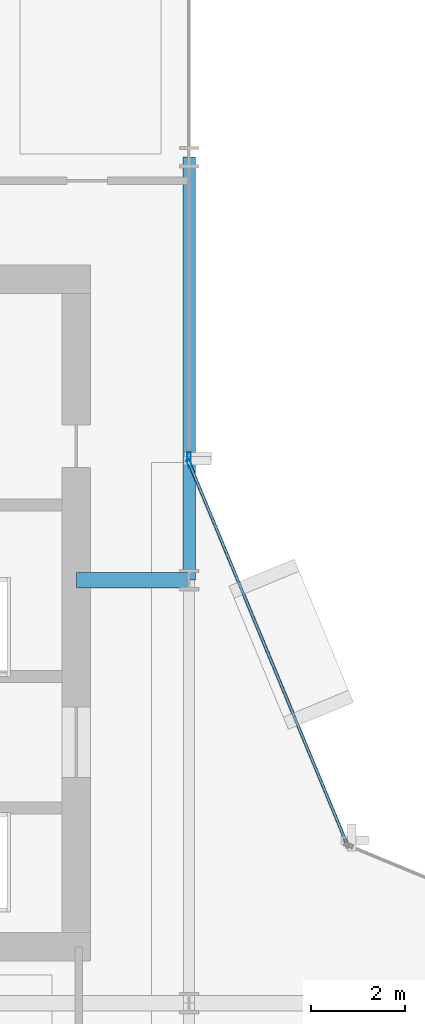
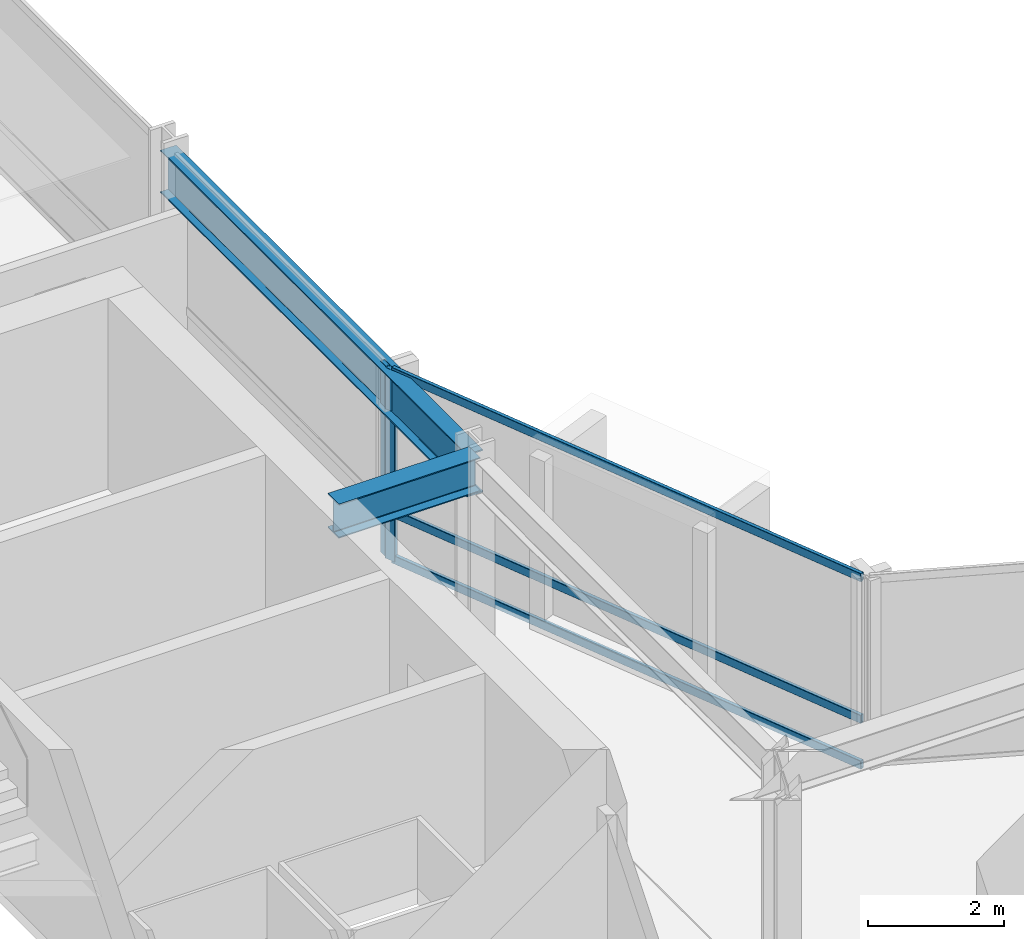
# One storey, part 17 of 29: 5 members, 2 beams, 2 elements without a shape of their own.
"""IFC4 building model written with IfcOpenShell, lengths in metres."""

from ifc_helpers import new_model, si_unit, direction, frame, origin, origin_2d, place, context, subcontext, project, spatial, hollow_rectangle, i_section, extrude, material, layer, layer_set, material_profile, profile_set, type_object, element, aggregate, save


model = new_model("IFC4")

# Units and contexts
model_context = context("Model", 3, precision=1e-05, world=origin(), true_north=direction((0.0, 1.0)))
body_context = subcontext(model_context, "Body", "Model", "MODEL_VIEW")
ifc_project = project(units=[si_unit("LENGTHUNIT", "METRE"), si_unit("AREAUNIT", "SQUARE_METRE"), si_unit("VOLUMEUNIT", "CUBIC_METRE"), si_unit("PLANEANGLEUNIT", "RADIAN"), si_unit("MASSUNIT", "GRAM", prefix="KILO")], contexts=[model_context])

# Site, building, storey
site_placement = place(None, origin())
site = spatial("IfcSite", under=ifc_project, at=site_placement, CompositionType="ELEMENT")
building_placement = place(site_placement, origin())
building = spatial("IfcBuilding", under=site, at=building_placement, Name="Solvaryn Broadcast Tower", CompositionType="ELEMENT")
storey_placement = place(building_placement, frame((0.0, 0.0, 121.10009765625)))
storey = spatial("IfcBuildingStorey", under=building, at=storey_placement, Name="L29", CompositionType="ELEMENT", Elevation=121.10009765625)

# Beams
ifc_material_1 = material(Name="Steel ASTM A992 Grade 50", Category="steel")
ifc_material_profile_1 = material_profile(ifc_material_1, i_section(OverallWidth=0.323974609375, OverallDepth=0.611083984375, WebThickness=0.0126953125, FlangeThickness=0.01904296875, FilletRadius=0.014892578125, at=origin_2d()))
ifc_profile_set_1 = profile_set([ifc_material_profile_1], Name="Steel ASTM A992 Grade 50")
beam_type_1 = type_object("IfcBeamType", Name="BM-B1-W24X104", PredefinedType="BEAM", material=ifc_profile_set_1)
beam_1_placement = place(storey_placement, frame((24.60009765625, 36.0, 3.114501953125), z_axis=(1.0, 0.0, 0.0), x_axis=(0.0, 1.0, 0.0)))
element("IfcBeam", 1, at=beam_1_placement, inside=storey, type_object=beam_type_1, Name="L29 Core Tie Beam CTW2", PredefinedType="BEAM", context=body_context, shape_type="SweptSolid", body=[
    extrude(i_section(OverallWidth=0.323974609375, OverallDepth=0.611083984375, WebThickness=0.0126953125, FlangeThickness=0.01904296875, FilletRadius=0.014892578125, at=origin_2d()), origin(), (0.0, 0.0, 1.0), 2.39990234375),
])
ifc_material_2 = material(Name="Steel ASTM A992 Grade 50", Category="steel")
ifc_material_profile_2 = material_profile(ifc_material_2, i_section(OverallWidth=0.26708984375, OverallDepth=0.76611328125, WebThickness=0.014892578125, FlangeThickness=0.023681640625, FilletRadius=0.01806640625, at=origin_2d()))
ifc_profile_set_2 = profile_set([ifc_material_profile_2], Name="Steel ASTM A992 Grade 50")
beam_type_2 = type_object("IfcBeamType", Name="BM-SP2-W30X124", PredefinedType="USERDEFINED", material=ifc_profile_set_2)
beam_2_placement = place(storey_placement, frame((27.0, 36.0, 3.036865234375), z_axis=(0.0, 1.0, 0.0), x_axis=(-1.0, 0.0, 0.0)))
element("IfcBeam", 2, at=beam_2_placement, inside=storey, type_object=beam_type_2, Name="L29 Spandrel Beam Y (36-45 @ X=27)", ObjectType="SPANDREL", PredefinedType="USERDEFINED", context=body_context, shape_type="SweptSolid", body=[
    extrude(i_section(OverallWidth=0.26708984375, OverallDepth=0.76611328125, WebThickness=0.014892578125, FlangeThickness=0.023681640625, FilletRadius=0.01806640625, at=origin_2d()), origin(), (0.0, 0.0, 1.0), 9.0),
])

# Curtain wall, member
ifc_material_3 = material(Name="Aluminium and Terracotta Unitised Curtain Wall", Category="masonry")
ifc_layer = layer(ifc_material_3, 0.199951171875)
ifc_layer_set = layer_set([ifc_layer], Name="CW-SYS2-LOWMID")
curtain_wall_type = type_object("IfcCurtainWallType", Name="CW-SYS2-LOWMID", PredefinedType="NOTDEFINED", material=ifc_layer_set)
curtain_wall_1_placement = place(storey_placement, origin())
curtain_wall_1 = element("IfcCurtainWall", 3, at=curtain_wall_1_placement, inside=storey, type_object=curtain_wall_type, Name="L29 Curtain Wall IV", PredefinedType="NOTDEFINED")
ifc_material_4 = material(Name="Anodised Aluminium 6063-T6", Category="aluminium")
ifc_material_profile_3 = material_profile(ifc_material_4, hollow_rectangle(XDim=0.074951171875, YDim=0.179931640625, WallThickness=0.00390625, InnerFilletRadius=0.00390625, OuterFilletRadius=0.008056640625, at=origin_2d()))
ifc_profile_set_3 = profile_set([ifc_material_profile_3], Name="Anodised Aluminium 6063-T6")
member_type_1 = type_object("IfcMemberType", Name="CW-MUL-180", PredefinedType="MULLION", material=ifc_profile_set_3)
member_1_placement = place(storey_placement, frame((27.0, 38.6298828125, 0.0), z_axis=(0.0, 0.0, 1.0), x_axis=(1.0, 0.0, 0.0)))
member_1 = element("IfcMember", 4, at=member_1_placement, type_object=member_type_1, Name="CWS2 mullion 2", PredefinedType="MULLION", context=body_context, shape_type="SweptSolid", body=[
    extrude(hollow_rectangle(XDim=0.074951171875, YDim=0.179931640625, WallThickness=0.00390625, InnerFilletRadius=0.00390625, OuterFilletRadius=0.008056640625, at=origin_2d()), origin(), (0.0, 0.0, 1.0), 3.419921875),
])
aggregate(curtain_wall_1, [member_1])

# Curtain wall, members
curtain_wall_2_placement = place(storey_placement, origin())
curtain_wall_2 = element("IfcCurtainWall", 5, at=curtain_wall_2_placement, inside=storey, type_object=curtain_wall_type, Name="L29 Curtain Wall CN2", PredefinedType="NOTDEFINED")
member_2_placement = place(storey_placement, frame((27.011474609375, 38.47216796875, 0.0), z_axis=(0.0, 0.0, 1.0), x_axis=(-0.923894983957, -0.382646127145, 0.0)))
member_2 = element("IfcMember", 6, at=member_2_placement, type_object=member_type_1, Name="CWS2 mullion 2", PredefinedType="MULLION", context=body_context, shape_type="SweptSolid", body=[
    extrude(hollow_rectangle(XDim=0.074951171875, YDim=0.179931640625, WallThickness=0.00390625, InnerFilletRadius=0.00390625, OuterFilletRadius=0.008056640625, at=origin_2d()), origin(), (0.0, 0.0, 1.0), 3.419921875),
])
ifc_material_5 = material(Name="Anodised Aluminium 6063-T6", Category="aluminium")
ifc_material_profile_4 = material_profile(ifc_material_5, hollow_rectangle(XDim=0.06494140625, YDim=0.14990234375, WallThickness=0.00390625, InnerFilletRadius=0.00390625, OuterFilletRadius=0.008056640625, at=origin_2d()))
ifc_profile_set_4 = profile_set([ifc_material_profile_4], Name="Anodised Aluminium 6063-T6")
member_type_2 = type_object("IfcMemberType", Name="CW-TRN-150", PredefinedType="USERDEFINED", material=ifc_profile_set_4)
member_3_placement = place(storey_placement, frame((30.344970703125, 30.42333984375, 0.02978515625), z_axis=(-0.382635748975, 0.923899282177, 0.0), x_axis=(-0.923899282177, -0.382635748975, 0.0)))
member_3 = element("IfcMember", 7, at=member_3_placement, type_object=member_type_2, Name="CWS2 transom 1.1", ObjectType="TRANSOM", PredefinedType="USERDEFINED", context=body_context, shape_type="SweptSolid", body=[
    extrude(hollow_rectangle(XDim=0.06494140625, YDim=0.14990234375, WallThickness=0.00390625, InnerFilletRadius=0.00390625, OuterFilletRadius=0.008056640625, at=origin_2d()), origin(), (0.0, 0.0, 1.0), 8.681884765625),
])
member_4_placement = place(storey_placement, frame((30.344970703125, 30.42333984375, 0.849853515625), z_axis=(-0.382635748975, 0.923899282177, 0.0), x_axis=(-0.923899282177, -0.382635748975, 0.0)))
member_4 = element("IfcMember", 8, at=member_4_placement, type_object=member_type_2, Name="CWS2 transom 1.2", ObjectType="TRANSOM", PredefinedType="USERDEFINED", context=body_context, shape_type="SweptSolid", body=[
    extrude(hollow_rectangle(XDim=0.06494140625, YDim=0.14990234375, WallThickness=0.00390625, InnerFilletRadius=0.00390625, OuterFilletRadius=0.008056640625, at=origin_2d()), origin(), (0.0, 0.0, 1.0), 8.681884765625),
])
member_5_placement = place(storey_placement, frame((30.344970703125, 30.42333984375, 3.389892578125), z_axis=(-0.382635748975, 0.923899282177, 0.0), x_axis=(-0.923899282177, -0.382635748975, 0.0)))
member_5 = element("IfcMember", 9, at=member_5_placement, type_object=member_type_2, Name="CWS2 transom 1.3", ObjectType="TRANSOM", PredefinedType="USERDEFINED", context=body_context, shape_type="SweptSolid", body=[
    extrude(hollow_rectangle(XDim=0.06494140625, YDim=0.14990234375, WallThickness=0.00390625, InnerFilletRadius=0.00390625, OuterFilletRadius=0.008056640625, at=origin_2d()), origin(), (0.0, 0.0, 1.0), 8.681884765625),
])
aggregate(curtain_wall_2, [member_2, member_3, member_4, member_5])

save(model, "model.ifc")
